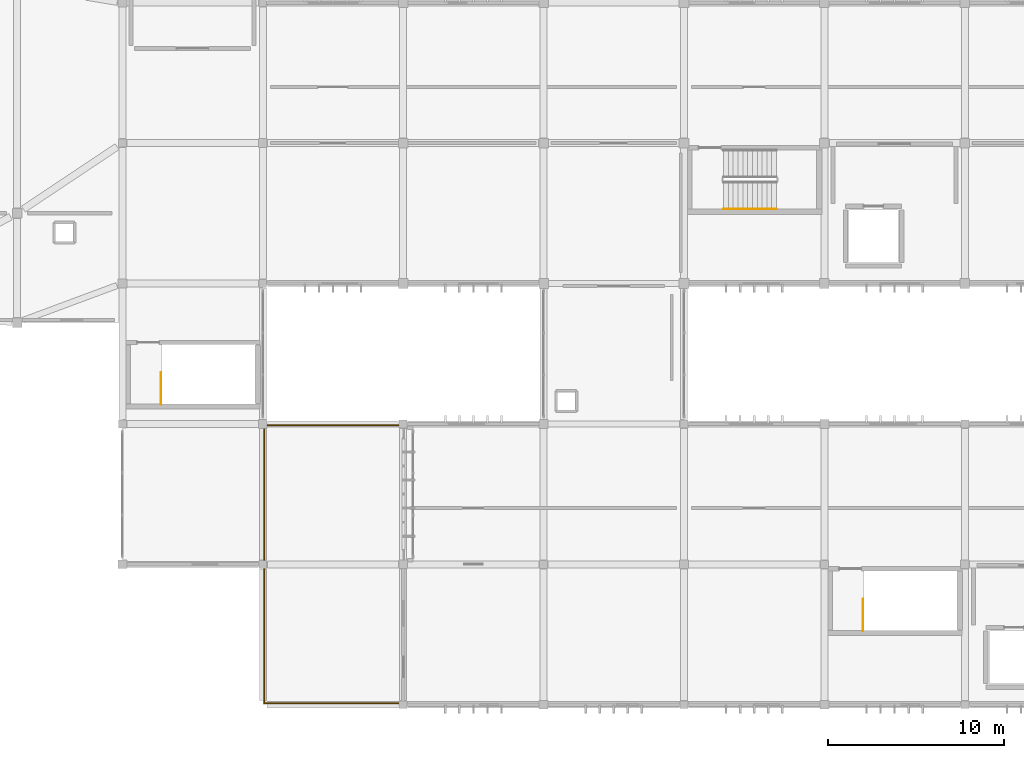
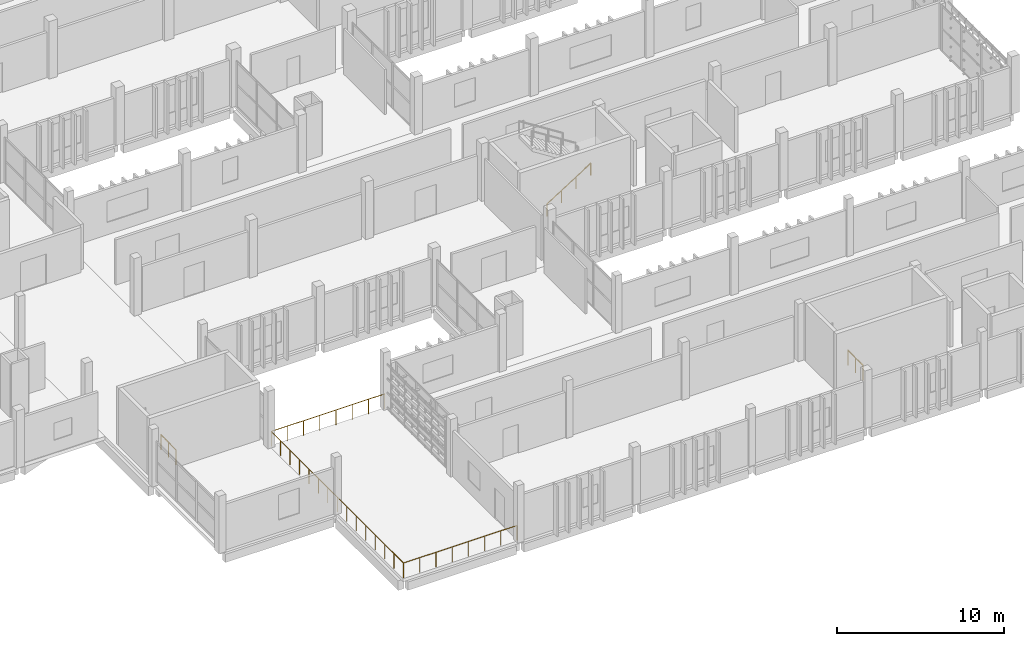
# One storey, part 59 of 63: 4 railings.
"""IFC4 building model written with IfcOpenShell, lengths in metres."""

from ifc_helpers import new_model, si_unit, direction, frame, origin, origin_2d, place, context, subcontext, project, spatial, circle, extrude, material, type_object, element, save


model = new_model("IFC4")

# Units and contexts
model_context = context("Model", 3, precision=1e-05, world=origin(), true_north=direction((0.0, 1.0)))
body_context = subcontext(model_context, "Body", "Model", "MODEL_VIEW")
ifc_project = project(units=[si_unit("LENGTHUNIT", "METRE"), si_unit("AREAUNIT", "SQUARE_METRE"), si_unit("VOLUMEUNIT", "CUBIC_METRE"), si_unit("PLANEANGLEUNIT", "RADIAN"), si_unit("MASSUNIT", "GRAM", prefix="KILO")], contexts=[model_context])

# Site, building, storey
site_placement = place(None, origin())
site = spatial("IfcSite", under=ifc_project, at=site_placement, CompositionType="ELEMENT")
building_placement = place(site_placement, origin())
building = spatial("IfcBuilding", under=site, at=building_placement, Name="Jelvoka-Kovrelna Polytechnic", CompositionType="ELEMENT")
storey_placement = place(building_placement, frame((0.0, 0.0, 18.0)))
storey = spatial("IfcBuildingStorey", under=building, at=storey_placement, Name="L05", CompositionType="ELEMENT", Elevation=18.0)

# Railings
ifc_material_1 = material(Name="Powder-coated steel stair guard", Category="steel")
railing_type_1 = type_object("IfcRailingType", Name="Railing_Stair_Guard_1100", PredefinedType="GUARDRAIL", material=ifc_material_1)
railing_1_placement = place(storey_placement, frame((50.199951171875, 25.10009765625, 0.0)))
element("IfcRailing", 1, at=railing_1_placement, inside=storey, type_object=railing_type_1, Name="L05 ST03 top well guard 1", PredefinedType="GUARDRAIL", context=body_context, shape_type="SweptSolid", body=[
    extrude(circle(Radius=0.02392578125, at=origin_2d()), frame((0.0, 0.0, 1.076171875), z_axis=(0.0, 1.0, 0.0), x_axis=(-1.0, 0.0, 0.0)), (0.0, 0.0, 1.0), 1.81982421875),
    extrude(circle(Radius=0.02099609375, at=origin_2d()), origin(), (0.0, 0.0, 1.0), 1.052001953125),
    extrude(circle(Radius=0.02099609375, at=origin_2d()), frame((0.0, 0.909912109375, 0.0)), (0.0, 0.0, 1.0), 1.052001953125),
    extrude(circle(Radius=0.02099609375, at=origin_2d()), frame((0.0, 1.81982421875, 0.0)), (0.0, 0.0, 1.0), 1.052001953125),
])
railing_2_placement = place(storey_placement, frame((90.199951171875, 12.199951171875, 0.0)))
element("IfcRailing", 2, at=railing_2_placement, inside=storey, type_object=railing_type_1, Name="L05 ST06 top well guard 1", PredefinedType="GUARDRAIL", context=body_context, shape_type="SweptSolid", body=[
    extrude(circle(Radius=0.02392578125, at=origin_2d()), frame((0.0, 0.0, 1.076171875), z_axis=(0.0, 1.0, 0.0), x_axis=(-1.0, 0.0, 0.0)), (0.0, 0.0, 1.0), 1.820068359375),
    extrude(circle(Radius=0.02099609375, at=origin_2d()), origin(), (0.0, 0.0, 1.0), 1.052001953125),
    extrude(circle(Radius=0.02099609375, at=origin_2d()), frame((0.0, 0.91015625, 0.0)), (0.0, 0.0, 1.0), 1.052001953125),
    extrude(circle(Radius=0.02099609375, at=origin_2d()), frame((0.0, 1.820068359375, 0.0)), (0.0, 0.0, 1.0), 1.052001953125),
])
ifc_material_2 = material(Name="Brushed stainless steel handrail", Category="steel")
railing_type_2 = type_object("IfcRailingType", Name="Railing_Stair_Handrail_900", PredefinedType="HANDRAIL", material=ifc_material_2)
railing_3_placement = place(storey_placement, frame((82.25, 36.25, 0.175048828125)))
element("IfcRailing", 3, at=railing_3_placement, inside=storey, type_object=railing_type_2, Name="L05 ST07 stair handrail 1", PredefinedType="HANDRAIL", context=body_context, shape_type="SweptSolid", body=[
    extrude(circle(Radius=0.02392578125, at=origin_2d()), frame((0.0, 0.0, 0.8759765625), z_axis=(0.84364746871, 0.0, 0.536897521451), x_axis=(0.0, 1.0, 0.0)), (0.0, 0.0, 1.0), 3.58544921875),
    extrude(circle(Radius=0.02099609375, at=origin_2d()), origin(), (0.0, 0.0, 1.0), 0.851806640625),
    extrude(circle(Radius=0.02099609375, at=origin_2d()), frame((1.00830078125, 0.0, 0.6416015625)), (0.0, 0.0, 1.0), 0.851806640625),
    extrude(circle(Radius=0.02099609375, at=origin_2d()), frame((2.0166015625, 0.0, 1.283447265625)), (0.0, 0.0, 1.0), 0.851806640625),
    extrude(circle(Radius=0.02099609375, at=origin_2d()), frame((3.02490234375, 0.0, 1.925048828125)), (0.0, 0.0, 1.0), 0.851806640625),
])
ifc_material_3 = material(Name="Brushed stainless steel Grade 316", Category="steel")
railing_type_3 = type_object("IfcRailingType", Name="Railing_Terrace_Guard_1100", PredefinedType="GUARDRAIL", material=ifc_material_3)
railing_4_placement = place(storey_placement, frame((63.919921875, 8.080078125, 0.0)))
element("IfcRailing", 4, at=railing_4_placement, inside=storey, type_object=railing_type_3, Name="L05 terrace perimeter guard TER-L05-B1W", PredefinedType="GUARDRAIL", context=body_context, shape_type="SweptSolid", body=[
    extrude(circle(Radius=0.02392578125, at=origin_2d()), frame((0.0, 0.0, 1.076171875), z_axis=(-1.0, 0.0, 0.0), x_axis=(0.0, -1.0, 0.0)), (0.0, 0.0, 1.0), 7.83984375),
    extrude(circle(Radius=0.02392578125, at=origin_2d()), frame((-7.83984375, 0.0, 1.076171875), z_axis=(0.0, 1.0, 0.0), x_axis=(-1.0, 0.0, 0.0)), (0.0, 0.0, 1.0), 15.83984375),
    extrude(circle(Radius=0.02392578125, at=origin_2d()), frame((-7.83984375, 15.83984375, 1.076171875), z_axis=(1.0, 0.0, 0.0), x_axis=(0.0, 1.0, 0.0)), (0.0, 0.0, 1.0), 7.83984375),
    extrude(circle(Radius=0.02099609375, at=origin_2d()), origin(), (0.0, 0.0, 1.0), 1.052001953125),
    extrude(circle(Radius=0.02099609375, at=origin_2d()), frame((-1.119873046875, 0.0, 0.0)), (0.0, 0.0, 1.0), 1.052001953125),
    extrude(circle(Radius=0.02099609375, at=origin_2d()), frame((-2.239990234375, 0.0, 0.0)), (0.0, 0.0, 1.0), 1.052001953125),
    extrude(circle(Radius=0.02099609375, at=origin_2d()), frame((-3.35986328125, 0.0, 0.0)), (0.0, 0.0, 1.0), 1.052001953125),
    extrude(circle(Radius=0.02099609375, at=origin_2d()), frame((-4.47998046875, 0.0, 0.0)), (0.0, 0.0, 1.0), 1.052001953125),
    extrude(circle(Radius=0.02099609375, at=origin_2d()), frame((-5.599853515625, 0.0, 0.0)), (0.0, 0.0, 1.0), 1.052001953125),
    extrude(circle(Radius=0.02099609375, at=origin_2d()), frame((-6.719970703125, 0.0, 0.0)), (0.0, 0.0, 1.0), 1.052001953125),
    extrude(circle(Radius=0.02099609375, at=origin_2d()), frame((-7.83984375, 0.0, 0.0)), (0.0, 0.0, 1.0), 1.052001953125),
    extrude(circle(Radius=0.02099609375, at=origin_2d()), frame((-7.83984375, 1.13134765625, 0.0)), (0.0, 0.0, 1.0), 1.052001953125),
    extrude(circle(Radius=0.02099609375, at=origin_2d()), frame((-7.83984375, 2.262939453125, 0.0)), (0.0, 0.0, 1.0), 1.052001953125),
    extrude(circle(Radius=0.02099609375, at=origin_2d()), frame((-7.83984375, 3.394287109375, 0.0)), (0.0, 0.0, 1.0), 1.052001953125),
    extrude(circle(Radius=0.02099609375, at=origin_2d()), frame((-7.83984375, 4.525634765625, 0.0)), (0.0, 0.0, 1.0), 1.052001953125),
    extrude(circle(Radius=0.02099609375, at=origin_2d()), frame((-7.83984375, 5.656982421875, 0.0)), (0.0, 0.0, 1.0), 1.052001953125),
    extrude(circle(Radius=0.02099609375, at=origin_2d()), frame((-7.83984375, 6.78857421875, 0.0)), (0.0, 0.0, 1.0), 1.052001953125),
    extrude(circle(Radius=0.02099609375, at=origin_2d()), frame((-7.83984375, 7.919921875, 0.0)), (0.0, 0.0, 1.0), 1.052001953125),
    extrude(circle(Radius=0.02099609375, at=origin_2d()), frame((-7.83984375, 9.05126953125, 0.0)), (0.0, 0.0, 1.0), 1.052001953125),
    extrude(circle(Radius=0.02099609375, at=origin_2d()), frame((-7.83984375, 10.182861328125, 0.0)), (0.0, 0.0, 1.0), 1.052001953125),
    extrude(circle(Radius=0.02099609375, at=origin_2d()), frame((-7.83984375, 11.314208984375, 0.0)), (0.0, 0.0, 1.0), 1.052001953125),
    extrude(circle(Radius=0.02099609375, at=origin_2d()), frame((-7.83984375, 12.445556640625, 0.0)), (0.0, 0.0, 1.0), 1.052001953125),
    extrude(circle(Radius=0.02099609375, at=origin_2d()), frame((-7.83984375, 13.576904296875, 0.0)), (0.0, 0.0, 1.0), 1.052001953125),
    extrude(circle(Radius=0.02099609375, at=origin_2d()), frame((-7.83984375, 14.70849609375, 0.0)), (0.0, 0.0, 1.0), 1.052001953125),
    extrude(circle(Radius=0.02099609375, at=origin_2d()), frame((-7.83984375, 15.83984375, 0.0)), (0.0, 0.0, 1.0), 1.052001953125),
    extrude(circle(Radius=0.02099609375, at=origin_2d()), frame((-6.719970703125, 15.83984375, 0.0)), (0.0, 0.0, 1.0), 1.052001953125),
    extrude(circle(Radius=0.02099609375, at=origin_2d()), frame((-5.599853515625, 15.83984375, 0.0)), (0.0, 0.0, 1.0), 1.052001953125),
    extrude(circle(Radius=0.02099609375, at=origin_2d()), frame((-4.47998046875, 15.83984375, 0.0)), (0.0, 0.0, 1.0), 1.052001953125),
    extrude(circle(Radius=0.02099609375, at=origin_2d()), frame((-3.35986328125, 15.83984375, 0.0)), (0.0, 0.0, 1.0), 1.052001953125),
    extrude(circle(Radius=0.02099609375, at=origin_2d()), frame((-2.239990234375, 15.83984375, 0.0)), (0.0, 0.0, 1.0), 1.052001953125),
    extrude(circle(Radius=0.02099609375, at=origin_2d()), frame((-1.119873046875, 15.83984375, 0.0)), (0.0, 0.0, 1.0), 1.052001953125),
    extrude(circle(Radius=0.02099609375, at=origin_2d()), frame((0.0, 15.83984375, 0.0)), (0.0, 0.0, 1.0), 1.052001953125),
])

save(model, "model.ifc")
